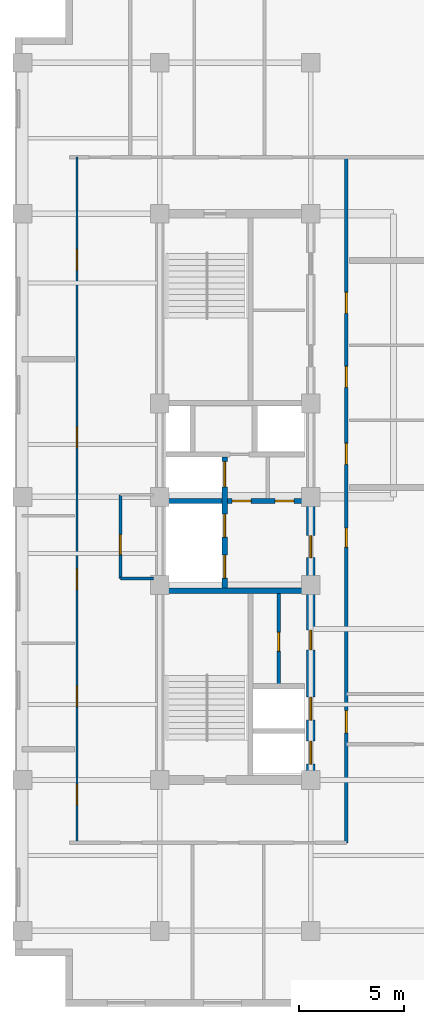
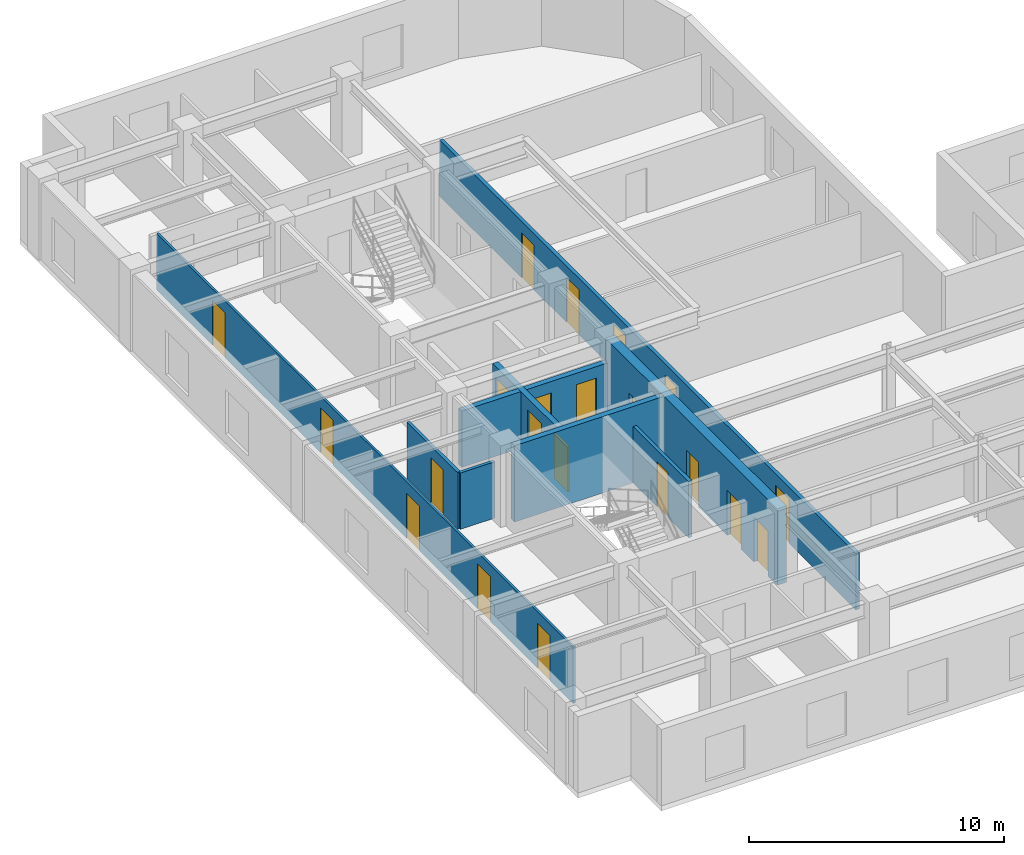
# One storey, part 4 of 10: 21 doors, 9 walls, 21 openings.
"""IFC4 building model written with IfcOpenShell, lengths in metres."""

from ifc_helpers import new_model, entity, si_unit, converted_unit, direction, frame, origin_with_axes, origin_2d_with_axis, place, context, subcontext, project, spatial, polyline, rectangle, outline, extrude, material, layer, layer_set, type_object, element, fill, save


model = new_model("IFC4")

# Units and contexts
model_context = context("Model", 3, precision=1e-05, world=origin_with_axes(), true_north=direction((0.0, 1.0)))
body_context = subcontext(model_context, "Body", "Model", "MODEL_VIEW")
ifc_project = project(units=[si_unit("LENGTHUNIT", "METRE"), si_unit("AREAUNIT", "SQUARE_METRE"), si_unit("VOLUMEUNIT", "CUBIC_METRE"), converted_unit("PLANEANGLEUNIT", "DEGREE", entity("IfcPlaneAngleMeasure", 0.017453292519943295), si_unit("PLANEANGLEUNIT", "RADIAN"), dimensions=[0, 0, 0, 0, 0, 0, 0]), si_unit("MASSUNIT", "GRAM", prefix="KILO"), si_unit("THERMODYNAMICTEMPERATUREUNIT", "KELVIN")], contexts=[model_context])

# Site, building, storey
site_placement = place(None, origin_with_axes())
site = spatial("IfcSite", under=ifc_project, at=site_placement, CompositionType="ELEMENT")
building_placement = place(site_placement, origin_with_axes())
building = spatial("IfcBuilding", under=site, at=building_placement, Name="Varnlund Millrace Tower", CompositionType="ELEMENT")
storey_placement = place(building_placement, frame((0.0, 0.0, 236.4), z_axis=(0.0, 0.0, 1.0), x_axis=(1.0, 0.0, 0.0)))
storey = spatial("IfcBuildingStorey", under=building, at=storey_placement, Name="L58", CompositionType="ELEMENT", Elevation=236.4)

# Wall, openings, doors
ifc_material_1 = material(Name="Concrete C60/75", Category="concrete")
ifc_layer_1 = layer(ifc_material_1, 0.42, Name="Concrete C60/75")
ifc_layer_set_1 = layer_set([ifc_layer_1], Name="Concrete C60/75")
wall_type_1 = type_object("IfcWallType", Name="Type-CoreWall-Shear-420-C60", PredefinedType="SHEAR", material=ifc_layer_set_1)
wall_1_placement = place(storey_placement, frame((18.6, 10.8, 0.0), z_axis=(0.0, 0.0, 1.0), x_axis=(0.0, 1.0, 0.0)))
wall_1 = element("IfcWall", 1, at=wall_1_placement, inside=storey, type_object=wall_type_1, Name="Type-CoreWall-Shear-420-C60", PredefinedType="SHEAR", context=body_context, shape_type="SweptSolid", body=[
    extrude(outline(polyline([(0.0, -0.21), (13.5, -0.21), (13.5, 0.21), (0.0, 0.21), (0.0, -0.21)])), origin_with_axes(), (0.0, 0.0, 1.0), 3.66),
])
opening_1_placement = place(wall_1_placement, frame((1.3, 0.0, 0.0), z_axis=(0.0, 0.0, 1.0), x_axis=(1.0, 0.0, 0.0)))
opening_1 = element("IfcOpeningElement", 2, at=opening_1_placement, cuts=wall_1, Name="Opening L58:LD-ELV-H1", PredefinedType="OPENING", context=body_context, shape_type="SweptSolid", body=[
    extrude(rectangle(XDim=1.1, YDim=0.44, at=origin_2d_with_axis()), origin_with_axes(), (0.0, 0.0, 1.0), 2.15),
])
opening_2_placement = place(wall_1_placement, frame((3.4, 0.0, 0.0), z_axis=(0.0, 0.0, 1.0), x_axis=(1.0, 0.0, 0.0)))
opening_2 = element("IfcOpeningElement", 3, at=opening_2_placement, cuts=wall_1, Name="Opening L58:LD-ELV-H2", PredefinedType="OPENING", context=body_context, shape_type="SweptSolid", body=[
    extrude(rectangle(XDim=1.1, YDim=0.44, at=origin_2d_with_axis()), origin_with_axes(), (0.0, 0.0, 1.0), 2.15),
])
opening_3_placement = place(wall_1_placement, frame((11.125, 0.0, 0.0), z_axis=(0.0, 0.0, 1.0), x_axis=(1.0, 0.0, 0.0)))
opening_3 = element("IfcOpeningElement", 4, at=opening_3_placement, cuts=wall_1, Name="Opening L58:DR-FFLOB-A", PredefinedType="OPENING", context=body_context, shape_type="SweptSolid", body=[
    extrude(rectangle(XDim=1.05, YDim=0.44, at=origin_2d_with_axis()), origin_with_axes(), (0.0, 0.0, 1.0), 2.15),
])
opening_4_placement = place(wall_1_placement, frame((6.675, 0.0, 0.0), z_axis=(0.0, 0.0, 1.0), x_axis=(1.0, 0.0, 0.0)))
opening_4 = element("IfcOpeningElement", 5, at=opening_4_placement, cuts=wall_1, Name="Opening L58:DR-RECL-S1B2", PredefinedType="OPENING", context=body_context, shape_type="SweptSolid", body=[
    extrude(rectangle(XDim=0.95, YDim=0.44, at=origin_2d_with_axis()), origin_with_axes(), (0.0, 0.0, 1.0), 2.15),
])
ifc_material_2 = material(Name="Smoke-barrier hollow steel fire door", Category="steel")
door_type_1 = type_object("IfcDoorType", Name="Type-FireDoor-Lobby-1050X2150", OperationType="NOTDEFINED", PredefinedType="DOOR", material=ifc_material_2)
door_1_placement = place(wall_1_placement, frame((11.125, 0.0, 0.0), z_axis=(0.0, 0.0, 1.0), x_axis=(1.0, 0.0, 0.0)))
door_1 = element("IfcDoor", 6, at=door_1_placement, inside=storey, type_object=door_type_1, Name="Type-FireDoor-Lobby-1050X2150", OperationType="SINGLE_SWING_LEFT", OverallHeight=2.15, OverallWidth=1.05, PredefinedType="DOOR", context=body_context, shape_type="SweptSolid", body=[
    extrude(rectangle(XDim=1.05, YDim=0.09, at=origin_2d_with_axis()), origin_with_axes(), (0.0, 0.0, 1.0), 2.15),
])
fill(opening_3, door_1)
ifc_material_3 = material(Name="Fire-rated hollow steel core service door", Category="steel")
door_type_2 = type_object("IfcDoorType", Name="Type-FireDoor-Service-950X2150", OperationType="NOTDEFINED", PredefinedType="DOOR", material=ifc_material_3)
door_2_placement = place(wall_1_placement, frame((6.675, 0.0, 0.0), z_axis=(0.0, 0.0, 1.0), x_axis=(1.0, 0.0, 0.0)))
door_2 = element("IfcDoor", 7, at=door_2_placement, inside=storey, type_object=door_type_2, Name="Type-FireDoor-Service-950X2150", OperationType="SINGLE_SWING_RIGHT", OverallHeight=2.15, OverallWidth=0.95, PredefinedType="DOOR", context=body_context, shape_type="SweptSolid", body=[
    extrude(rectangle(XDim=0.95, YDim=0.09, at=origin_2d_with_axis()), origin_with_axes(), (0.0, 0.0, 1.0), 2.15),
])
fill(opening_4, door_2)
ifc_material_4 = material(Name="Stainless and architectural bronze sliding landing door")
door_type_3 = type_object("IfcDoorType", Name="Type-LiftLandingDoor-1100X2150", OperationType="NOTDEFINED", PredefinedType="DOOR", material=ifc_material_4)
door_3_placement = place(wall_1_placement, frame((1.3, 0.0, 0.0), z_axis=(0.0, 0.0, 1.0), x_axis=(1.0, 0.0, 0.0)))
door_3 = element("IfcDoor", 8, at=door_3_placement, inside=storey, type_object=door_type_3, Name="Type-LiftLandingDoor-1100X2150", OperationType="SLIDING_TO_LEFT", OverallHeight=2.15, OverallWidth=1.1, PredefinedType="DOOR", context=body_context, shape_type="SweptSolid", body=[
    extrude(rectangle(XDim=1.1, YDim=0.09, at=origin_2d_with_axis()), origin_with_axes(), (0.0, 0.0, 1.0), 2.15),
])
fill(opening_1, door_3)
door_4_placement = place(wall_1_placement, frame((3.4, 0.0, 0.0), z_axis=(0.0, 0.0, 1.0), x_axis=(1.0, 0.0, 0.0)))
door_4 = element("IfcDoor", 9, at=door_4_placement, inside=storey, type_object=door_type_3, Name="Type-LiftLandingDoor-1100X2150", OperationType="SLIDING_TO_RIGHT", OverallHeight=2.15, OverallWidth=1.1, PredefinedType="DOOR", context=body_context, shape_type="SweptSolid", body=[
    extrude(rectangle(XDim=1.1, YDim=0.09, at=origin_2d_with_axis()), origin_with_axes(), (0.0, 0.0, 1.0), 2.15),
])
fill(opening_2, door_4)

# Wall, opening, door
ifc_material_5 = material(Name="Fire-rated gypsum board on cold-formed steel framing", Category="steel")
ifc_layer_2 = layer(ifc_material_5, 0.16, Name="Fire-rated gypsum board on cold-formed steel framing")
ifc_layer_set_2 = layer_set([ifc_layer_2], Name="Fire-rated gypsum board on cold-formed steel framing")
wall_type_2 = type_object("IfcWallType", Name="Type-Partition-Corridor-160", PredefinedType="PARTITIONING", material=ifc_layer_set_2)
wall_2_placement = place(storey_placement, frame((17.07, 15.34, 0.0), z_axis=(0.0, 0.0, 1.0), x_axis=(0.0, 1.0, 0.0)))
wall_2 = element("IfcWall", 10, at=wall_2_placement, inside=storey, type_object=wall_type_2, Name="Type-Partition-Corridor-160", PredefinedType="PARTITIONING", context=body_context, shape_type="SweptSolid", body=[
    extrude(outline(polyline([(0.0, -0.08), (4.36, -0.08), (4.36, 0.08), (0.0, 0.08), (0.0, -0.08)])), origin_with_axes(), (0.0, 0.0, 1.0), 2.7),
])
opening_5_placement = place(wall_2_placement, frame((2.05, 0.0, 0.0), z_axis=(0.0, 0.0, 1.0), x_axis=(1.0, 0.0, 0.0)))
opening_5 = element("IfcOpeningElement", 11, at=opening_5_placement, cuts=wall_2, Name="Opening L58:DR-RECL-S1B1", PredefinedType="OPENING", context=body_context, shape_type="SweptSolid", body=[
    extrude(rectangle(XDim=0.9, YDim=0.18, at=origin_2d_with_axis()), origin_with_axes(), (0.0, 0.0, 1.0), 2.15),
])
ifc_material_6 = material(Name="Painted steel riser and closet door", Category="steel")
door_type_4 = type_object("IfcDoorType", Name="Type-IntDoor-Closet-900X2150", OperationType="NOTDEFINED", PredefinedType="DOOR", material=ifc_material_6)
door_5_placement = place(wall_2_placement, frame((2.05, 0.0, 0.0), z_axis=(0.0, 0.0, 1.0), x_axis=(1.0, 0.0, 0.0)))
door_5 = element("IfcDoor", 12, at=door_5_placement, inside=storey, type_object=door_type_4, Name="Type-IntDoor-Closet-900X2150", OperationType="SINGLE_SWING_LEFT", OverallHeight=2.15, OverallWidth=0.9, PredefinedType="DOOR", context=body_context, shape_type="SweptSolid", body=[
    extrude(rectangle(XDim=0.9, YDim=0.09, at=origin_2d_with_axis()), origin_with_axes(), (0.0, 0.0, 1.0), 2.15),
])
fill(opening_5, door_5)

# Wall, openings, doors
wall_3_placement = place(storey_placement, frame((20.3, 7.8, 0.0), z_axis=(0.0, 0.0, 1.0), x_axis=(0.0, 1.0, 0.0)))
wall_3 = element("IfcWall", 13, at=wall_3_placement, inside=storey, type_object=wall_type_2, Name="Type-Partition-Corridor-160", PredefinedType="PARTITIONING", context=body_context, shape_type="SweptSolid", body=[
    extrude(outline(polyline([(0.0, -0.08), (32.7, -0.08), (32.7, 0.08), (0.0, 0.08), (0.0, -0.08)])), origin_with_axes(), (0.0, 0.0, 1.0), 2.7),
])
opening_6_placement = place(wall_3_placement, frame((14.556, 0.0, 0.0), z_axis=(0.0, 0.0, 1.0), x_axis=(1.0, 0.0, 0.0)))
opening_6 = element("IfcOpeningElement", 14, at=opening_6_placement, cuts=wall_3, Name="Opening L58:DR-FLR-01", PredefinedType="OPENING", context=body_context, shape_type="SweptSolid", body=[
    extrude(rectangle(XDim=0.9, YDim=0.18, at=origin_2d_with_axis()), origin_with_axes(), (0.0, 0.0, 1.0), 2.15),
])
opening_7_placement = place(wall_3_placement, frame((18.551, 0.0, 0.0), z_axis=(0.0, 0.0, 1.0), x_axis=(1.0, 0.0, 0.0)))
opening_7 = element("IfcOpeningElement", 15, at=opening_7_placement, cuts=wall_3, Name="Opening L58:DR-FLR-02", PredefinedType="OPENING", context=body_context, shape_type="SweptSolid", body=[
    extrude(rectangle(XDim=1.0, YDim=0.18, at=origin_2d_with_axis()), origin_with_axes(), (0.0, 0.0, 1.0), 2.15),
])
opening_8_placement = place(wall_3_placement, frame((22.226, 0.0, 0.0), z_axis=(0.0, 0.0, 1.0), x_axis=(1.0, 0.0, 0.0)))
opening_8 = element("IfcOpeningElement", 16, at=opening_8_placement, cuts=wall_3, Name="Opening L58:DR-FLR-03", PredefinedType="OPENING", context=body_context, shape_type="SweptSolid", body=[
    extrude(rectangle(XDim=1.0, YDim=0.18, at=origin_2d_with_axis()), origin_with_axes(), (0.0, 0.0, 1.0), 2.15),
])
opening_9_placement = place(wall_3_placement, frame((25.754, 0.0, 0.0), z_axis=(0.0, 0.0, 1.0), x_axis=(1.0, 0.0, 0.0)))
opening_9 = element("IfcOpeningElement", 17, at=opening_9_placement, cuts=wall_3, Name="Opening L58:DR-FLR-04", PredefinedType="OPENING", context=body_context, shape_type="SweptSolid", body=[
    extrude(rectangle(XDim=1.0, YDim=0.18, at=origin_2d_with_axis()), origin_with_axes(), (0.0, 0.0, 1.0), 2.15),
])
opening_10_placement = place(wall_3_placement, frame((5.775, 0.0, 0.0), z_axis=(0.0, 0.0, 1.0), x_axis=(1.0, 0.0, 0.0)))
opening_10 = element("IfcOpeningElement", 18, at=opening_10_placement, cuts=wall_3, Name="Opening L58:DR-KN-W", PredefinedType="OPENING", context=body_context, shape_type="SweptSolid", body=[
    extrude(rectangle(XDim=1.05, YDim=0.18, at=origin_2d_with_axis()), origin_with_axes(), (0.0, 0.0, 1.0), 2.15),
])
door_6_placement = place(wall_3_placement, frame((5.775, 0.0, 0.0), z_axis=(0.0, 0.0, 1.0), x_axis=(1.0, 0.0, 0.0)))
door_6 = element("IfcDoor", 19, at=door_6_placement, inside=storey, type_object=door_type_1, Name="Type-FireDoor-Lobby-1050X2150", OperationType="SINGLE_SWING_LEFT", OverallHeight=2.15, OverallWidth=1.05, PredefinedType="DOOR", context=body_context, shape_type="SweptSolid", body=[
    extrude(rectangle(XDim=1.05, YDim=0.09, at=origin_2d_with_axis()), origin_with_axes(), (0.0, 0.0, 1.0), 2.15),
])
fill(opening_10, door_6)
door_7_placement = place(wall_3_placement, frame((14.556, 0.0, 0.0), z_axis=(0.0, 0.0, 1.0), x_axis=(1.0, 0.0, 0.0)))
door_7 = element("IfcDoor", 20, at=door_7_placement, inside=storey, type_object=door_type_4, Name="Type-IntDoor-Closet-900X2150", OperationType="SINGLE_SWING_LEFT", OverallHeight=2.15, OverallWidth=0.9, PredefinedType="DOOR", context=body_context, shape_type="SweptSolid", body=[
    extrude(rectangle(XDim=0.9, YDim=0.09, at=origin_2d_with_axis()), origin_with_axes(), (0.0, 0.0, 1.0), 2.15),
])
fill(opening_6, door_7)
ifc_material_7 = material(Name="Solid-core white oak and bronze frame door")
door_type_5 = type_object("IfcDoorType", Name="Type-IntDoor-Office-1000X2150", OperationType="NOTDEFINED", PredefinedType="DOOR", material=ifc_material_7)
door_8_placement = place(wall_3_placement, frame((18.551, 0.0, 0.0), z_axis=(0.0, 0.0, 1.0), x_axis=(1.0, 0.0, 0.0)))
door_8 = element("IfcDoor", 21, at=door_8_placement, inside=storey, type_object=door_type_5, Name="Type-IntDoor-Office-1000X2150", OperationType="SINGLE_SWING_RIGHT", OverallHeight=2.15, OverallWidth=1.0, PredefinedType="DOOR", context=body_context, shape_type="SweptSolid", body=[
    extrude(rectangle(XDim=1.0, YDim=0.09, at=origin_2d_with_axis()), origin_with_axes(), (0.0, 0.0, 1.0), 2.15),
])
fill(opening_7, door_8)
door_9_placement = place(wall_3_placement, frame((22.226, 0.0, 0.0), z_axis=(0.0, 0.0, 1.0), x_axis=(1.0, 0.0, 0.0)))
door_9 = element("IfcDoor", 22, at=door_9_placement, inside=storey, type_object=door_type_5, Name="Type-IntDoor-Office-1000X2150", OperationType="SINGLE_SWING_LEFT", OverallHeight=2.15, OverallWidth=1.0, PredefinedType="DOOR", context=body_context, shape_type="SweptSolid", body=[
    extrude(rectangle(XDim=1.0, YDim=0.09, at=origin_2d_with_axis()), origin_with_axes(), (0.0, 0.0, 1.0), 2.15),
])
fill(opening_8, door_9)
door_10_placement = place(wall_3_placement, frame((25.754, 0.0, 0.0), z_axis=(0.0, 0.0, 1.0), x_axis=(1.0, 0.0, 0.0)))
door_10 = element("IfcDoor", 23, at=door_10_placement, inside=storey, type_object=door_type_5, Name="Type-IntDoor-Office-1000X2150", OperationType="SINGLE_SWING_RIGHT", OverallHeight=2.15, OverallWidth=1.0, PredefinedType="DOOR", context=body_context, shape_type="SweptSolid", body=[
    extrude(rectangle(XDim=1.0, YDim=0.09, at=origin_2d_with_axis()), origin_with_axes(), (0.0, 0.0, 1.0), 2.15),
])
fill(opening_9, door_10)

ifc_material_8 = material(Name="Architectural bronze and acoustic glass office front", Category="glass")
ifc_layer_3 = layer(ifc_material_8, 0.1, Name="Architectural bronze and acoustic glass office front")
ifc_layer_set_3 = layer_set([ifc_layer_3], Name="Architectural bronze and acoustic glass office front")
wall_type_3 = type_object("IfcWallType", Name="Type-Partition-Glazed-100", PredefinedType="PARTITIONING", material=ifc_layer_set_3)
wall_4_placement = place(storey_placement, frame((7.45, 7.8, 0.0), z_axis=(0.0, 0.0, 1.0), x_axis=(0.0, 1.0, 0.0)))
wall_4 = element("IfcWall", 24, at=wall_4_placement, inside=storey, type_object=wall_type_3, Name="Type-Partition-Glazed-100", PredefinedType="PARTITIONING", context=body_context, shape_type="SweptSolid", body=[
    extrude(outline(polyline([(0.0, -0.05), (32.7, -0.05), (32.7, 0.05), (0.0, 0.05), (0.0, -0.05)])), origin_with_axes(), (0.0, 0.0, 1.0), 2.7),
])
opening_11_placement = place(wall_4_placement, frame((2.296, 0.0, 0.0), z_axis=(0.0, 0.0, 1.0), x_axis=(1.0, 0.0, 0.0)))
opening_11 = element("IfcOpeningElement", 25, at=opening_11_placement, cuts=wall_4, Name="Opening L58:DR-W-01", PredefinedType="OPENING", context=body_context, shape_type="SweptSolid", body=[
    extrude(rectangle(XDim=1.0, YDim=0.12, at=origin_2d_with_axis()), origin_with_axes(), (0.0, 0.0, 1.0), 2.15),
])
opening_12_placement = place(wall_4_placement, frame((6.9885, 0.0, 0.0), z_axis=(0.0, 0.0, 1.0), x_axis=(1.0, 0.0, 0.0)))
opening_12 = element("IfcOpeningElement", 26, at=opening_12_placement, cuts=wall_4, Name="Opening L58:DR-W-02", PredefinedType="OPENING", context=body_context, shape_type="SweptSolid", body=[
    extrude(rectangle(XDim=1.0, YDim=0.12, at=origin_2d_with_axis()), origin_with_axes(), (0.0, 0.0, 1.0), 2.15),
])
opening_13_placement = place(wall_4_placement, frame((12.56, 0.0, 0.0), z_axis=(0.0, 0.0, 1.0), x_axis=(1.0, 0.0, 0.0)))
opening_13 = element("IfcOpeningElement", 27, at=opening_13_placement, cuts=wall_4, Name="Opening L58:DR-W-03", PredefinedType="OPENING", context=body_context, shape_type="SweptSolid", body=[
    extrude(rectangle(XDim=1.0, YDim=0.12, at=origin_2d_with_axis()), origin_with_axes(), (0.0, 0.0, 1.0), 2.15),
])
opening_14_placement = place(wall_4_placement, frame((19.334, 0.0, 0.0), z_axis=(0.0, 0.0, 1.0), x_axis=(1.0, 0.0, 0.0)))
opening_14 = element("IfcOpeningElement", 28, at=opening_14_placement, cuts=wall_4, Name="Opening L58:DR-W-04", PredefinedType="OPENING", context=body_context, shape_type="SweptSolid", body=[
    extrude(rectangle(XDim=1.0, YDim=0.12, at=origin_2d_with_axis()), origin_with_axes(), (0.0, 0.0, 1.0), 2.15),
])
opening_15_placement = place(wall_4_placement, frame((27.8165, 0.0, 0.0), z_axis=(0.0, 0.0, 1.0), x_axis=(1.0, 0.0, 0.0)))
opening_15 = element("IfcOpeningElement", 29, at=opening_15_placement, cuts=wall_4, Name="Opening L58:DR-W-05", PredefinedType="OPENING", context=body_context, shape_type="SweptSolid", body=[
    extrude(rectangle(XDim=1.0, YDim=0.12, at=origin_2d_with_axis()), origin_with_axes(), (0.0, 0.0, 1.0), 2.15),
])
door_11_placement = place(wall_4_placement, frame((2.296, 0.0, 0.0), z_axis=(0.0, 0.0, 1.0), x_axis=(1.0, 0.0, 0.0)))
door_11 = element("IfcDoor", 30, at=door_11_placement, inside=storey, type_object=door_type_5, Name="Type-IntDoor-Office-1000X2150", OperationType="SINGLE_SWING_LEFT", OverallHeight=2.15, OverallWidth=1.0, PredefinedType="DOOR", context=body_context, shape_type="SweptSolid", body=[
    extrude(rectangle(XDim=1.0, YDim=0.06, at=origin_2d_with_axis()), origin_with_axes(), (0.0, 0.0, 1.0), 2.15),
])
fill(opening_11, door_11)
door_12_placement = place(wall_4_placement, frame((6.9885, 0.0, 0.0), z_axis=(0.0, 0.0, 1.0), x_axis=(1.0, 0.0, 0.0)))
door_12 = element("IfcDoor", 31, at=door_12_placement, inside=storey, type_object=door_type_5, Name="Type-IntDoor-Office-1000X2150", OperationType="SINGLE_SWING_RIGHT", OverallHeight=2.15, OverallWidth=1.0, PredefinedType="DOOR", context=body_context, shape_type="SweptSolid", body=[
    extrude(rectangle(XDim=1.0, YDim=0.06, at=origin_2d_with_axis()), origin_with_axes(), (0.0, 0.0, 1.0), 2.15),
])
fill(opening_12, door_12)
door_13_placement = place(wall_4_placement, frame((12.56, 0.0, 0.0), z_axis=(0.0, 0.0, 1.0), x_axis=(1.0, 0.0, 0.0)))
door_13 = element("IfcDoor", 32, at=door_13_placement, inside=storey, type_object=door_type_5, Name="Type-IntDoor-Office-1000X2150", OperationType="SINGLE_SWING_LEFT", OverallHeight=2.15, OverallWidth=1.0, PredefinedType="DOOR", context=body_context, shape_type="SweptSolid", body=[
    extrude(rectangle(XDim=1.0, YDim=0.06, at=origin_2d_with_axis()), origin_with_axes(), (0.0, 0.0, 1.0), 2.15),
])
fill(opening_13, door_13)
door_14_placement = place(wall_4_placement, frame((19.334, 0.0, 0.0), z_axis=(0.0, 0.0, 1.0), x_axis=(1.0, 0.0, 0.0)))
door_14 = element("IfcDoor", 33, at=door_14_placement, inside=storey, type_object=door_type_5, Name="Type-IntDoor-Office-1000X2150", OperationType="SINGLE_SWING_RIGHT", OverallHeight=2.15, OverallWidth=1.0, PredefinedType="DOOR", context=body_context, shape_type="SweptSolid", body=[
    extrude(rectangle(XDim=1.0, YDim=0.06, at=origin_2d_with_axis()), origin_with_axes(), (0.0, 0.0, 1.0), 2.15),
])
fill(opening_14, door_14)
door_15_placement = place(wall_4_placement, frame((27.8165, 0.0, 0.0), z_axis=(0.0, 0.0, 1.0), x_axis=(1.0, 0.0, 0.0)))
door_15 = element("IfcDoor", 34, at=door_15_placement, inside=storey, type_object=door_type_5, Name="Type-IntDoor-Office-1000X2150", OperationType="SINGLE_SWING_LEFT", OverallHeight=2.15, OverallWidth=1.0, PredefinedType="DOOR", context=body_context, shape_type="SweptSolid", body=[
    extrude(rectangle(XDim=1.0, YDim=0.06, at=origin_2d_with_axis()), origin_with_axes(), (0.0, 0.0, 1.0), 2.15),
])
fill(opening_15, door_15)

# Wall, opening, door
ifc_material_9 = material(Name="Moisture-resistant gypsum restroom partition", Category="gypsum")
ifc_layer_4 = layer(ifc_material_9, 0.14, Name="Moisture-resistant gypsum restroom partition")
ifc_layer_set_4 = layer_set([ifc_layer_4], Name="Moisture-resistant gypsum restroom partition")
wall_type_4 = type_object("IfcWallType", Name="Type-Partition-Wet-140", PredefinedType="PARTITIONING", material=ifc_layer_set_4)
wall_5_placement = place(storey_placement, frame((9.52, 20.4, 0.0), z_axis=(0.0, 0.0, 1.0), x_axis=(0.0, 1.0, 0.0)))
wall_5 = element("IfcWall", 35, at=wall_5_placement, inside=storey, type_object=wall_type_4, Name="Type-Partition-Wet-140", PredefinedType="PARTITIONING", context=body_context, shape_type="SweptSolid", body=[
    extrude(outline(polyline([(0.0, -0.07), (4.0, -0.07), (4.0, 0.07), (0.0, 0.07), (0.0, -0.07)])), origin_with_axes(), (0.0, 0.0, 1.0), 2.7),
])
opening_16_placement = place(wall_5_placement, frame((1.625, 0.0, 0.0), z_axis=(0.0, 0.0, 1.0), x_axis=(1.0, 0.0, 0.0)))
opening_16 = element("IfcOpeningElement", 36, at=opening_16_placement, cuts=wall_5, Name="Opening L58:DR-CA-WCW", PredefinedType="OPENING", context=body_context, shape_type="SweptSolid", body=[
    extrude(rectangle(XDim=0.95, YDim=0.16, at=origin_2d_with_axis()), origin_with_axes(), (0.0, 0.0, 1.0), 2.15),
])
ifc_material_10 = material(Name="Solid-core acoustic office door")
door_type_6 = type_object("IfcDoorType", Name="Type-IntDoor-Tenant-950X2150", OperationType="NOTDEFINED", PredefinedType="DOOR", material=ifc_material_10)
door_16_placement = place(wall_5_placement, frame((1.625, 0.0, 0.0), z_axis=(0.0, 0.0, 1.0), x_axis=(1.0, 0.0, 0.0)))
door_16 = element("IfcDoor", 37, at=door_16_placement, inside=storey, type_object=door_type_6, Name="Type-IntDoor-Tenant-950X2150", OperationType="SINGLE_SWING_LEFT", OverallHeight=2.15, OverallWidth=0.95, PredefinedType="DOOR", context=body_context, shape_type="SweptSolid", body=[
    extrude(rectangle(XDim=0.95, YDim=0.084, at=origin_2d_with_axis()), origin_with_axes(), (0.0, 0.0, 1.0), 2.15),
])
fill(opening_16, door_16)

# Wall
wall_6_placement = place(storey_placement, frame((9.52, 20.4, 0.0), z_axis=(0.0, 0.0, 1.0), x_axis=(1.0, 0.0, 0.0)))
element("IfcWall", 38, at=wall_6_placement, inside=storey, type_object=wall_type_4, Name="Type-Partition-Wet-140", PredefinedType="PARTITIONING", context=body_context, shape_type="SweptSolid", body=[
    extrude(outline(polyline([(0.0, -0.07), (1.58, -0.07), (1.58, 0.07), (0.0, 0.07), (0.0, -0.07)])), origin_with_axes(), (0.0, 0.0, 1.0), 2.7),
])

# Wall, openings, doors
ifc_layer_5 = layer(ifc_material_1, 0.25, Name="Concrete C60/75")
ifc_layer_set_5 = layer_set([ifc_layer_5], Name="Concrete C60/75")
wall_type_5 = type_object("IfcWallType", Name="Type-ShaftWall-Fire-250", PredefinedType="SOLIDWALL", material=ifc_layer_set_5)
wall_7_placement = place(storey_placement, frame((14.5, 19.95, 0.0), z_axis=(0.0, 0.0, 1.0), x_axis=(0.0, 1.0, 0.0)))
wall_7 = element("IfcWall", 39, at=wall_7_placement, inside=storey, type_object=wall_type_5, Name="Type-ShaftWall-Fire-250", PredefinedType="SOLIDWALL", context=body_context, shape_type="SweptSolid", body=[
    extrude(outline(polyline([(0.0, -0.125), (6.25, -0.125), (6.25, 0.125), (0.0, 0.125), (0.0, -0.125)])), origin_with_axes(), (0.0, 0.0, 1.0), 2.7),
])
opening_17_placement = place(wall_7_placement, frame((1.025, 0.0, 0.0), z_axis=(0.0, 0.0, 1.0), x_axis=(1.0, 0.0, 0.0)))
opening_17 = element("IfcOpeningElement", 40, at=opening_17_placement, cuts=wall_7, Name="Opening L58:LD-FSAE1", PredefinedType="OPENING", context=body_context, shape_type="SweptSolid", body=[
    extrude(rectangle(XDim=1.1, YDim=0.27, at=origin_2d_with_axis()), origin_with_axes(), (0.0, 0.0, 1.0), 2.15),
])
opening_18_placement = place(wall_7_placement, frame((2.975, 0.0, 0.0), z_axis=(0.0, 0.0, 1.0), x_axis=(1.0, 0.0, 0.0)))
opening_18 = element("IfcOpeningElement", 41, at=opening_18_placement, cuts=wall_7, Name="Opening L58:LD-FSAE2", PredefinedType="OPENING", context=body_context, shape_type="SweptSolid", body=[
    extrude(rectangle(XDim=1.1, YDim=0.27, at=origin_2d_with_axis()), origin_with_axes(), (0.0, 0.0, 1.0), 2.15),
])
opening_19_placement = place(wall_7_placement, frame((5.425, 0.0, 0.0), z_axis=(0.0, 0.0, 1.0), x_axis=(1.0, 0.0, 0.0)))
opening_19 = element("IfcOpeningElement", 42, at=opening_19_placement, cuts=wall_7, Name="Opening L58:LD-SRV1", PredefinedType="OPENING", context=body_context, shape_type="SweptSolid", body=[
    extrude(rectangle(XDim=1.2, YDim=0.27, at=origin_2d_with_axis()), origin_with_axes(), (0.0, 0.0, 1.0), 2.15),
])
door_17_placement = place(wall_7_placement, frame((1.025, 0.0, 0.0), z_axis=(0.0, 0.0, 1.0), x_axis=(1.0, 0.0, 0.0)))
door_17 = element("IfcDoor", 43, at=door_17_placement, inside=storey, type_object=door_type_3, Name="Type-LiftLandingDoor-1100X2150", OperationType="SLIDING_TO_LEFT", OverallHeight=2.15, OverallWidth=1.1, PredefinedType="DOOR", context=body_context, shape_type="SweptSolid", body=[
    extrude(rectangle(XDim=1.1, YDim=0.09, at=origin_2d_with_axis()), origin_with_axes(), (0.0, 0.0, 1.0), 2.15),
])
fill(opening_17, door_17)
door_18_placement = place(wall_7_placement, frame((2.975, 0.0, 0.0), z_axis=(0.0, 0.0, 1.0), x_axis=(1.0, 0.0, 0.0)))
door_18 = element("IfcDoor", 44, at=door_18_placement, inside=storey, type_object=door_type_3, Name="Type-LiftLandingDoor-1100X2150", OperationType="SLIDING_TO_RIGHT", OverallHeight=2.15, OverallWidth=1.1, PredefinedType="DOOR", context=body_context, shape_type="SweptSolid", body=[
    extrude(rectangle(XDim=1.1, YDim=0.09, at=origin_2d_with_axis()), origin_with_axes(), (0.0, 0.0, 1.0), 2.15),
])
fill(opening_18, door_18)
ifc_material_11 = material(Name="Heavy-duty freight sliding landing door")
door_type_7 = type_object("IfcDoorType", Name="Type-LiftLandingDoor-Service-1200X2150", OperationType="NOTDEFINED", PredefinedType="DOOR", material=ifc_material_11)
door_19_placement = place(wall_7_placement, frame((5.425, 0.0, 0.0), z_axis=(0.0, 0.0, 1.0), x_axis=(1.0, 0.0, 0.0)))
door_19 = element("IfcDoor", 45, at=door_19_placement, inside=storey, type_object=door_type_7, Name="Type-LiftLandingDoor-Service-1200X2150", OperationType="DOUBLE_DOOR_SLIDING", OverallHeight=2.15, OverallWidth=1.2, PredefinedType="DOOR", context=body_context, shape_type="SweptSolid", body=[
    extrude(rectangle(XDim=1.2, YDim=0.09, at=origin_2d_with_axis()), origin_with_axes(), (0.0, 0.0, 1.0), 2.15),
])
fill(opening_19, door_19)

wall_8_placement = place(storey_placement, frame((11.7, 24.1, 0.0), z_axis=(0.0, 0.0, 1.0), x_axis=(1.0, 0.0, 0.0)))
wall_8 = element("IfcWall", 46, at=wall_8_placement, inside=storey, type_object=wall_type_5, Name="Type-ShaftWall-Fire-250", PredefinedType="SOLIDWALL", context=body_context, shape_type="SweptSolid", body=[
    extrude(outline(polyline([(0.0, -0.125), (6.6, -0.125), (6.6, 0.125), (0.0, 0.125), (0.0, -0.125)])), origin_with_axes(), (0.0, 0.0, 1.0), 2.7),
])
opening_20_placement = place(wall_8_placement, frame((3.6, 0.0, 0.0), z_axis=(0.0, 0.0, 1.0), x_axis=(1.0, 0.0, 0.0)))
opening_20 = element("IfcOpeningElement", 47, at=opening_20_placement, cuts=wall_8, Name="Opening L58:DR-CA-SUB1", PredefinedType="OPENING", context=body_context, shape_type="SweptSolid", body=[
    extrude(rectangle(XDim=0.9, YDim=0.27, at=origin_2d_with_axis()), origin_with_axes(), (0.0, 0.0, 1.0), 2.15),
])
opening_21_placement = place(wall_8_placement, frame((5.65, 0.0, 0.0), z_axis=(0.0, 0.0, 1.0), x_axis=(1.0, 0.0, 0.0)))
opening_21 = element("IfcOpeningElement", 48, at=opening_21_placement, cuts=wall_8, Name="Opening L58:DR-CA-SUB2", PredefinedType="OPENING", context=body_context, shape_type="SweptSolid", body=[
    extrude(rectangle(XDim=0.9, YDim=0.27, at=origin_2d_with_axis()), origin_with_axes(), (0.0, 0.0, 1.0), 2.15),
])
ifc_material_12 = material(Name="Fire-rated hollow steel service closet door", Category="steel")
door_type_8 = type_object("IfcDoorType", Name="Type-FireDoor-Closet-900X2150", OperationType="NOTDEFINED", PredefinedType="DOOR", material=ifc_material_12)
door_20_placement = place(wall_8_placement, frame((3.6, 0.0, 0.0), z_axis=(0.0, 0.0, 1.0), x_axis=(1.0, 0.0, 0.0)))
door_20 = element("IfcDoor", 49, at=door_20_placement, inside=storey, type_object=door_type_8, Name="Type-FireDoor-Closet-900X2150", OperationType="SINGLE_SWING_LEFT", OverallHeight=2.15, OverallWidth=0.9, PredefinedType="DOOR", context=body_context, shape_type="SweptSolid", body=[
    extrude(rectangle(XDim=0.9, YDim=0.09, at=origin_2d_with_axis()), origin_with_axes(), (0.0, 0.0, 1.0), 2.15),
])
fill(opening_20, door_20)
door_21_placement = place(wall_8_placement, frame((5.65, 0.0, 0.0), z_axis=(0.0, 0.0, 1.0), x_axis=(1.0, 0.0, 0.0)))
door_21 = element("IfcDoor", 50, at=door_21_placement, inside=storey, type_object=door_type_8, Name="Type-FireDoor-Closet-900X2150", OperationType="SINGLE_SWING_LEFT", OverallHeight=2.15, OverallWidth=0.9, PredefinedType="DOOR", context=body_context, shape_type="SweptSolid", body=[
    extrude(rectangle(XDim=0.9, YDim=0.09, at=origin_2d_with_axis()), origin_with_axes(), (0.0, 0.0, 1.0), 2.15),
])
fill(opening_21, door_21)

# Wall
wall_type_6 = type_object("IfcWallType", Name="Type-StairWall-Shear-250", PredefinedType="SHEAR", material=ifc_layer_set_5)
wall_9_placement = place(storey_placement, frame((11.61, 19.825, 0.0), z_axis=(0.0, 0.0, 1.0), x_axis=(1.0, 0.0, 0.0)))
element("IfcWall", 51, at=wall_9_placement, inside=storey, type_object=wall_type_6, Name="Type-StairWall-Shear-250", PredefinedType="SHEAR", context=body_context, shape_type="SweptSolid", body=[
    extrude(outline(polyline([(0.0, -0.125), (6.78, -0.125), (6.78, 0.125), (0.0, 0.125), (0.0, -0.125)])), origin_with_axes(), (0.0, 0.0, 1.0), 3.66),
])

save(model, "model.ifc")
